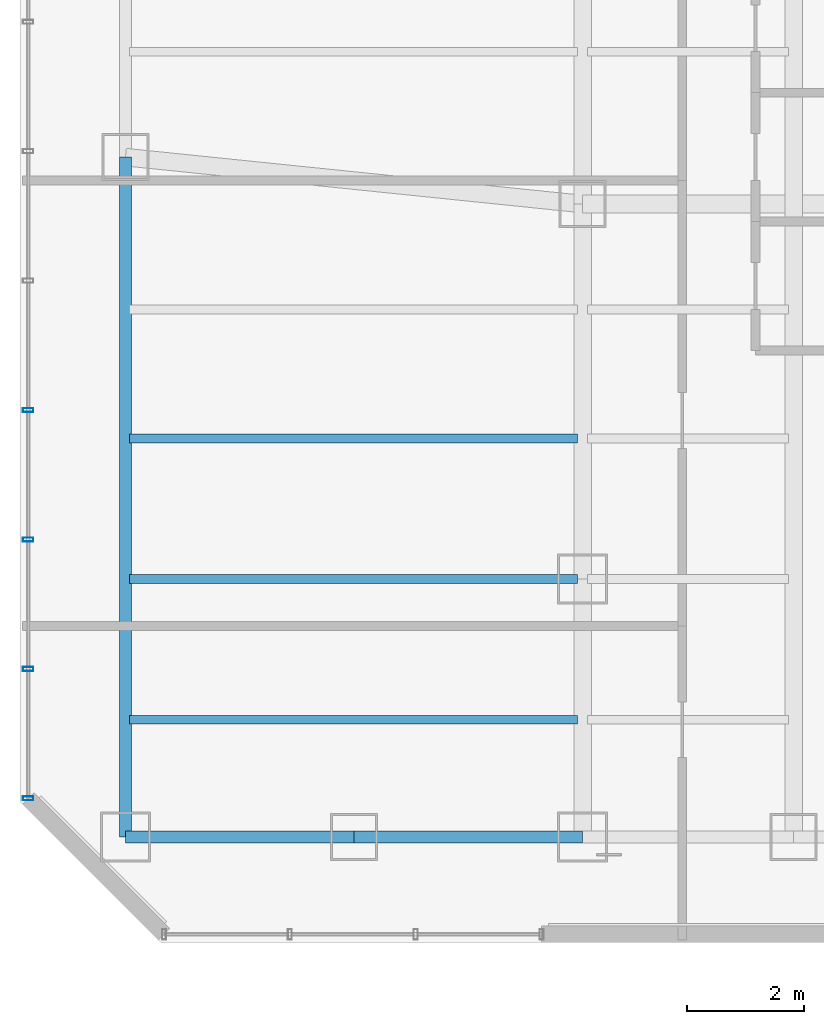
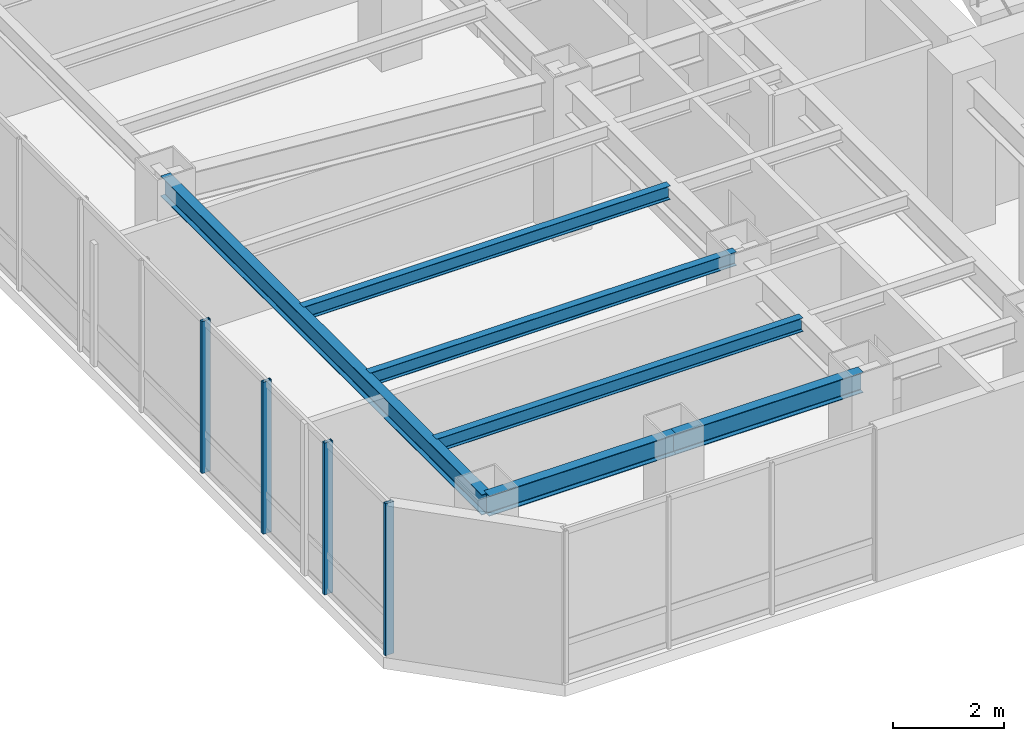
# One storey, part 4 of 27: 6 beams, 4 members, 1 element without a shape of its own.
"""IFC4 building model written with IfcOpenShell, lengths in metres."""

from ifc_helpers import new_model, si_unit, direction, frame, origin, origin_2d, place, context, subcontext, project, spatial, hollow_rectangle, i_section, extrude, material, layer, layer_set, material_profile, profile_set, type_object, element, aggregate, save


model = new_model("IFC4")

# Units and contexts
model_context = context("Model", 3, precision=1e-05, world=origin(), true_north=direction((0.0, 1.0)))
body_context = subcontext(model_context, "Body", "Model", "MODEL_VIEW")
ifc_project = project(units=[si_unit("LENGTHUNIT", "METRE"), si_unit("AREAUNIT", "SQUARE_METRE"), si_unit("VOLUMEUNIT", "CUBIC_METRE"), si_unit("PLANEANGLEUNIT", "RADIAN"), si_unit("MASSUNIT", "GRAM", prefix="KILO")], contexts=[model_context])

# Site, building, storey
site_placement = place(None, origin())
site = spatial("IfcSite", under=ifc_project, at=site_placement, CompositionType="ELEMENT")
building_placement = place(site_placement, origin())
building = spatial("IfcBuilding", under=site, at=building_placement, Name="Hatsunagi Terrace Concourse", CompositionType="ELEMENT")
storey_placement = place(building_placement, frame((0.0, 0.0, 142.050048828125)))
storey = spatial("IfcBuildingStorey", under=building, at=storey_placement, Name="L37", CompositionType="ELEMENT", Elevation=142.050048828125)

# Curtain wall, members
ifc_material_1 = material(Name="Anodised Aluminium Alloy 6063-T5", Category="aluminium")
ifc_layer = layer(ifc_material_1, 0.199951171875)
ifc_layer_set = layer_set([ifc_layer], Name="OfficeZone1_CW03")
curtain_wall_type = type_object("IfcCurtainWallType", Name="OfficeZone1_CW03", PredefinedType="NOTDEFINED", material=ifc_layer_set)
curtain_wall_placement = place(storey_placement, origin())
curtain_wall = element("IfcCurtainWall", 1, at=curtain_wall_placement, inside=storey, type_object=curtain_wall_type, Name="Unitised Curtain Wall CW-03 CW-L37-09", PredefinedType="NOTDEFINED")
ifc_material_2 = material(Name="Anodised Aluminium Alloy 6063-T5", Category="aluminium")
ifc_material_profile_1 = material_profile(ifc_material_2, hollow_rectangle(XDim=0.070068359375, YDim=0.179931640625, WallThickness=0.00390625, at=origin_2d()), Name="ALU-MUL-180x70x4")
ifc_profile_set_1 = profile_set([ifc_material_profile_1], Name="Anodised Aluminium Alloy 6063-T5")
member_type = type_object("IfcMemberType", Name="CurtainWallMullion_180x70", PredefinedType="MULLION", material=ifc_profile_set_1)
member_1_placement = place(storey_placement, frame((9.739990234375, 25.85791015625, 0.0), z_axis=(0.0, 0.0, 1.0), x_axis=(0.0, 1.0, 0.0)))
member_1 = element("IfcMember", 2, at=member_1_placement, type_object=member_type, Name="Curtain Wall Mullion MUL-02", PredefinedType="MULLION", context=body_context, shape_type="SweptSolid", body=[
    extrude(hollow_rectangle(XDim=0.070068359375, YDim=0.179931640625, WallThickness=0.00390625, at=origin_2d()), origin(), (0.0, 0.0, 1.0), 3.349853515625),
])
member_2_placement = place(storey_placement, frame((9.739990234375, 28.06591796875, 0.0), z_axis=(0.0, 0.0, 1.0), x_axis=(0.0, 1.0, 0.0)))
member_2 = element("IfcMember", 3, at=member_2_placement, type_object=member_type, Name="Curtain Wall Mullion MUL-02", PredefinedType="MULLION", context=body_context, shape_type="SweptSolid", body=[
    extrude(hollow_rectangle(XDim=0.070068359375, YDim=0.179931640625, WallThickness=0.00390625, at=origin_2d()), origin(), (0.0, 0.0, 1.0), 3.349853515625),
])
member_3_placement = place(storey_placement, frame((9.739990234375, 30.27490234375, 0.0), z_axis=(0.0, 0.0, 1.0), x_axis=(0.0, 1.0, 0.0)))
member_3 = element("IfcMember", 4, at=member_3_placement, type_object=member_type, Name="Curtain Wall Mullion MUL-02", PredefinedType="MULLION", context=body_context, shape_type="SweptSolid", body=[
    extrude(hollow_rectangle(XDim=0.070068359375, YDim=0.179931640625, WallThickness=0.00390625, at=origin_2d()), origin(), (0.0, 0.0, 1.0), 3.349853515625),
])
member_4_placement = place(storey_placement, frame((9.739990234375, 32.48291015625, 0.0), z_axis=(0.0, 0.0, 1.0), x_axis=(0.0, 1.0, 0.0)))
member_4 = element("IfcMember", 5, at=member_4_placement, type_object=member_type, Name="Curtain Wall Mullion MUL-02", PredefinedType="MULLION", context=body_context, shape_type="SweptSolid", body=[
    extrude(hollow_rectangle(XDim=0.070068359375, YDim=0.179931640625, WallThickness=0.00390625, at=origin_2d()), origin(), (0.0, 0.0, 1.0), 3.349853515625),
])
aggregate(curtain_wall, [member_1, member_2, member_3, member_4])

# Beams
ifc_material_3 = material(Name="Steel SN490B", Category="steel")
ifc_material_profile_2 = material_profile(ifc_material_3, i_section(OverallWidth=0.14990234375, OverallDepth=0.300048828125, WebThickness=0.006591796875, FlangeThickness=0.009033203125, FilletRadius=0.010986328125, at=origin_2d()), Name="H-300x150x6.5x9")
ifc_profile_set_2 = profile_set([ifc_material_profile_2], Name="Steel SN490B")
beam_type_1 = type_object("IfcBeamType", Name="OfficeJoist_H_300x150", PredefinedType="JOIST", material=ifc_profile_set_2)
for number, where, z_axis, x_axis, name in (
    (6, (11.465087890625, 27.199951171875, 3.199951171875), (1.0, 0.0, 0.0), (0.0, 1.0, 0.0), "Beam J-03 J-L37-W-11-272"),
    (7, (11.465087890625, 29.60009765625, 3.199951171875), (1.0, 0.0, 0.0), (0.0, 1.0, 0.0), "Beam J-03 J-L37-W-11-296"),
    (8, (11.465087890625, 32.0, 3.199951171875), (1.0, 0.0, 0.0), (0.0, 1.0, 0.0), "Beam J-03 J-L37-W-11-320"),
):
    element("IfcBeam", number, at=place(storey_placement, frame(where, z_axis=z_axis, x_axis=x_axis)), inside=storey, type_object=beam_type_1, Name=name, PredefinedType="JOIST", context=body_context, shape_type="SweptSolid", body=[
        extrude(i_section(OverallWidth=0.14990234375, OverallDepth=0.300048828125, WebThickness=0.006591796875, FlangeThickness=0.009033203125, FilletRadius=0.010986328125, at=origin_2d()), origin(), (0.0, 0.0, 1.0), 7.64990234375),
    ])
ifc_material_4 = material(Name="Steel SN490B", Category="steel")
ifc_material_profile_3 = material_profile(ifc_material_4, i_section(OverallWidth=0.199951171875, OverallDepth=0.449951171875, WebThickness=0.009033203125, FlangeThickness=0.013916015625, FilletRadius=0.01611328125, at=origin_2d()), Name="H-450x200x9x14")
ifc_profile_set_3 = profile_set([ifc_material_profile_3], Name="Steel SN490B")
beam_type_2 = type_object("IfcBeamType", Name="PerimeterSpandrel_H_450x200", PredefinedType="SPANDREL", material=ifc_profile_set_3)
beam_1_placement = place(storey_placement, frame((11.39990234375, 25.199951171875, 3.125), z_axis=(1.0, 0.0, 0.0), x_axis=(0.0, 1.0, 0.0)))
element("IfcBeam", 9, at=beam_1_placement, inside=storey, type_object=beam_type_2, Name="Beam SP-02 BM-L37-WS-11", PredefinedType="SPANDREL", context=body_context, shape_type="SweptSolid", body=[
    extrude(i_section(OverallWidth=0.199951171875, OverallDepth=0.449951171875, WebThickness=0.009033203125, FlangeThickness=0.013916015625, FilletRadius=0.01611328125, at=origin_2d()), origin(), (0.0, 0.0, 1.0), 3.900146484375),
])
beam_2_placement = place(storey_placement, frame((15.300048828125, 25.199951171875, 3.125), z_axis=(1.0, 0.0, 0.0), x_axis=(0.0, 1.0, 0.0)))
element("IfcBeam", 10, at=beam_2_placement, inside=storey, type_object=beam_type_2, Name="Beam SP-02 BM-L37-WS-15", PredefinedType="SPANDREL", context=body_context, shape_type="SweptSolid", body=[
    extrude(i_section(OverallWidth=0.199951171875, OverallDepth=0.449951171875, WebThickness=0.009033203125, FlangeThickness=0.013916015625, FilletRadius=0.01611328125, at=origin_2d()), origin(), (0.0, 0.0, 1.0), 3.89990234375),
])
beam_3_placement = place(storey_placement, frame((11.39990234375, 25.199951171875, 3.125), z_axis=(0.0, 1.0, 0.0), x_axis=(-1.0, 0.0, 0.0)))
element("IfcBeam", 11, at=beam_3_placement, inside=storey, type_object=beam_type_2, Name="Beam SP-02 BM-L37-NS-11-25", PredefinedType="SPANDREL", context=body_context, shape_type="SweptSolid", body=[
    extrude(i_section(OverallWidth=0.199951171875, OverallDepth=0.449951171875, WebThickness=0.009033203125, FlangeThickness=0.013916015625, FilletRadius=0.01611328125, at=origin_2d()), origin(), (0.0, 0.0, 1.0), 11.60009765625),
])

save(model, "model.ifc")
